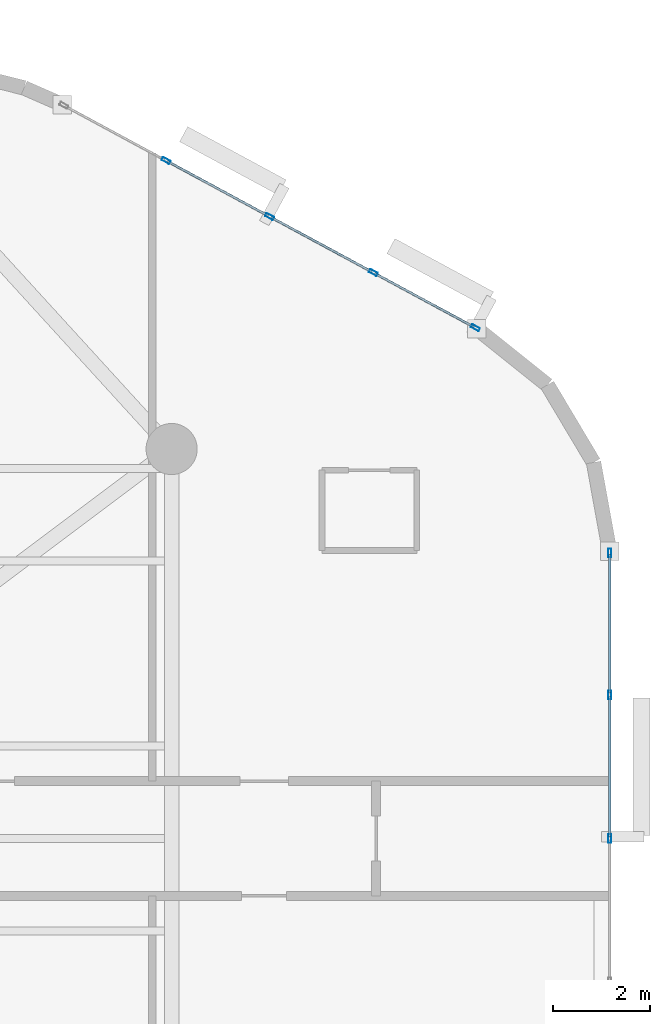
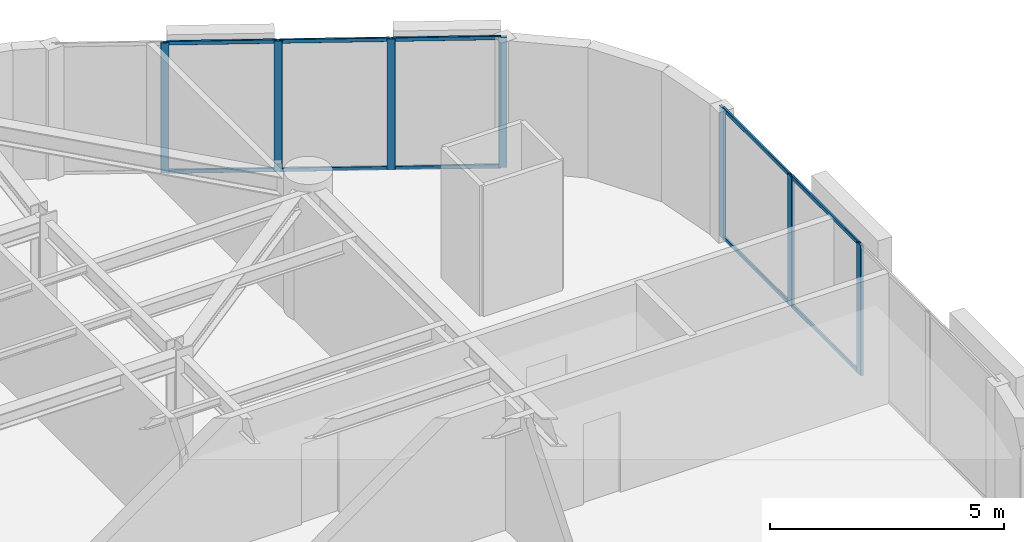
# One storey, part 6 of 13: 17 members, 2 elements without a shape of their own.
"""IFC4 building model written with IfcOpenShell, lengths in metres."""

from ifc_helpers import new_model, si_unit, direction, frame, origin, origin_2d, place, context, subcontext, project, spatial, hollow_rectangle, extrude, material, layer, layer_set, material_profile, profile_set, type_object, element, aggregate, save


model = new_model("IFC4")

# Units and contexts
model_context = context("Model", 3, precision=1e-05, world=origin(), true_north=direction((0.0, 1.0)))
body_context = subcontext(model_context, "Body", "Model", "MODEL_VIEW")
ifc_project = project(units=[si_unit("LENGTHUNIT", "METRE"), si_unit("AREAUNIT", "SQUARE_METRE"), si_unit("VOLUMEUNIT", "CUBIC_METRE"), si_unit("PLANEANGLEUNIT", "RADIAN"), si_unit("MASSUNIT", "GRAM", prefix="KILO")], contexts=[model_context])

# Site, building, storey
site_placement = place(None, origin())
site = spatial("IfcSite", under=ifc_project, at=site_placement, CompositionType="ELEMENT")
building_placement = place(site_placement, origin())
building = spatial("IfcBuilding", under=site, at=building_placement, Name="An Khanh Terracotta Commons", CompositionType="ELEMENT")
storey_placement = place(building_placement, frame((0.0, 0.0, 204.89990234375)))
storey = spatial("IfcBuildingStorey", under=building, at=storey_placement, Name="L53", CompositionType="ELEMENT", Elevation=204.89990234375)

# Curtain wall, members
ifc_material = material(Name="Anodised Aluminium 6063-T6", Category="aluminium")
ifc_layer = layer(ifc_material, 0.2099609375, Name="Anodised Aluminium 6063-T6")
ifc_layer_set = layer_set([ifc_layer], Name="Anodised Aluminium 6063-T6")
curtain_wall_type = type_object("IfcCurtainWallType", Name="CW-SYS-03", PredefinedType="USERDEFINED", material=ifc_layer_set)
curtain_wall_1_placement = place(storey_placement, origin())
curtain_wall_1 = element("IfcCurtainWall", 1, at=curtain_wall_1_placement, inside=storey, type_object=curtain_wall_type, Name="L53 CW-03 Unitised Curtain Wall CW-L53-12", ObjectType="UNITISED CURTAIN WALL", PredefinedType="USERDEFINED")
ifc_material_profile_1 = material_profile(ifc_material, hollow_rectangle(XDim=0.070068359375, YDim=0.179931640625, WallThickness=0.00390625, InnerFilletRadius=0.00390625, OuterFilletRadius=0.008056640625, at=origin_2d()), Name="RHS180x70x4")
ifc_profile_set_1 = profile_set([ifc_material_profile_1], Name="Anodised Aluminium 6063-T6")
member_type_1 = type_object("IfcMemberType", Name="CWM-RHS180x70x4", PredefinedType="MULLION", material=ifc_profile_set_1)
member_1_placement = place(storey_placement, frame((68.60009765625, 24.0, 0.0), z_axis=(0.0, 0.0, 1.0), x_axis=(-1.0, 0.0, 0.0)))
member_1 = element("IfcMember", 2, at=member_1_placement, type_object=member_type_1, Name="CW-03 mullion 3", PredefinedType="MULLION", context=body_context, shape_type="SweptSolid", body=[
    extrude(hollow_rectangle(XDim=0.070068359375, YDim=0.179931640625, WallThickness=0.00390625, InnerFilletRadius=0.00390625, OuterFilletRadius=0.008056640625, at=origin_2d()), origin(), (0.0, 0.0, 1.0), 3.400146484375),
])
member_2_placement = place(storey_placement, frame((68.60009765625, 26.949462890625, 0.0), z_axis=(0.0, 0.0, 1.0), x_axis=(-1.0, 0.0, 0.0)))
member_2 = element("IfcMember", 3, at=member_2_placement, type_object=member_type_1, Name="CW-03 mullion 4", PredefinedType="MULLION", context=body_context, shape_type="SweptSolid", body=[
    extrude(hollow_rectangle(XDim=0.070068359375, YDim=0.179931640625, WallThickness=0.00390625, InnerFilletRadius=0.00390625, OuterFilletRadius=0.008056640625, at=origin_2d()), origin(), (0.0, 0.0, 1.0), 3.400146484375),
])
member_3_placement = place(storey_placement, frame((68.60009765625, 29.864013671875, 0.0), z_axis=(0.0, 0.0, 1.0), x_axis=(-1.0, 0.0, 0.0)))
member_3 = element("IfcMember", 4, at=member_3_placement, type_object=member_type_1, Name="CW-03 mullion 5", PredefinedType="MULLION", context=body_context, shape_type="SweptSolid", body=[
    extrude(hollow_rectangle(XDim=0.070068359375, YDim=0.179931640625, WallThickness=0.00390625, InnerFilletRadius=0.00390625, OuterFilletRadius=0.008056640625, at=origin_2d()), origin(), (0.0, 0.0, 1.0), 3.400146484375),
])

curtain_wall_2_placement = place(storey_placement, origin())
curtain_wall_2 = element("IfcCurtainWall", 5, at=curtain_wall_2_placement, inside=storey, type_object=curtain_wall_type, Name="L53 CW-03 Unitised Curtain Wall CW-L53-16", ObjectType="UNITISED CURTAIN WALL", PredefinedType="USERDEFINED")
member_4_placement = place(storey_placement, frame((65.84130859375, 34.49072265625, 0.0), z_axis=(0.0, 0.0, 1.0), x_axis=(-0.47538088298, -0.879780095306, 0.0)))
member_4 = element("IfcMember", 6, at=member_4_placement, type_object=member_type_1, Name="CW-03 mullion 1", PredefinedType="MULLION", context=body_context, shape_type="SweptSolid", body=[
    extrude(hollow_rectangle(XDim=0.070068359375, YDim=0.179931640625, WallThickness=0.00390625, InnerFilletRadius=0.00390625, OuterFilletRadius=0.008056640625, at=origin_2d()), origin(), (0.0, 0.0, 1.0), 3.400146484375),
])
member_5_placement = place(storey_placement, frame((63.7431640625, 35.624267578125, 0.0), z_axis=(0.0, 0.0, 1.0), x_axis=(-0.47538088298, -0.879780095306, 0.0)))
member_5 = element("IfcMember", 7, at=member_5_placement, type_object=member_type_1, Name="CW-03 mullion 2", PredefinedType="MULLION", context=body_context, shape_type="SweptSolid", body=[
    extrude(hollow_rectangle(XDim=0.070068359375, YDim=0.179931640625, WallThickness=0.00390625, InnerFilletRadius=0.00390625, OuterFilletRadius=0.008056640625, at=origin_2d()), origin(), (0.0, 0.0, 1.0), 3.400146484375),
])
member_6_placement = place(storey_placement, frame((61.614501953125, 36.7744140625, 0.0), z_axis=(0.0, 0.0, 1.0), x_axis=(-0.47538088298, -0.879780095306, 0.0)))
member_6 = element("IfcMember", 8, at=member_6_placement, type_object=member_type_1, Name="CW-03 mullion 3", PredefinedType="MULLION", context=body_context, shape_type="SweptSolid", body=[
    extrude(hollow_rectangle(XDim=0.070068359375, YDim=0.179931640625, WallThickness=0.00390625, InnerFilletRadius=0.00390625, OuterFilletRadius=0.008056640625, at=origin_2d()), origin(), (0.0, 0.0, 1.0), 3.400146484375),
])
member_7_placement = place(storey_placement, frame((59.48583984375, 37.9248046875, 0.0), z_axis=(0.0, 0.0, 1.0), x_axis=(-0.47538088298, -0.879780095306, 0.0)))
member_7 = element("IfcMember", 9, at=member_7_placement, type_object=member_type_1, Name="CW-03 mullion 4", PredefinedType="MULLION", context=body_context, shape_type="SweptSolid", body=[
    extrude(hollow_rectangle(XDim=0.070068359375, YDim=0.179931640625, WallThickness=0.00390625, InnerFilletRadius=0.00390625, OuterFilletRadius=0.008056640625, at=origin_2d()), origin(), (0.0, 0.0, 1.0), 3.400146484375),
])

# Member
ifc_material_profile_2 = material_profile(ifc_material, hollow_rectangle(XDim=0.050048828125, YDim=0.10009765625, WallThickness=0.003173828125, InnerFilletRadius=0.003173828125, OuterFilletRadius=0.00634765625, at=origin_2d()), Name="RHS100x50x3.2")
ifc_profile_set_2 = profile_set([ifc_material_profile_2], Name="Anodised Aluminium 6063-T6")
member_type_2 = type_object("IfcMemberType", Name="CWT-RHS100x50x3.2", PredefinedType="USERDEFINED", material=ifc_profile_set_2)
member_8_placement = place(storey_placement, frame((68.60009765625, 24.034912109375, 0.025146484375), z_axis=(0.0, 1.0, 0.0), x_axis=(-1.0, 0.0, 0.0)))
member_8 = element("IfcMember", 10, at=member_8_placement, type_object=member_type_2, Name="CW-03 transom 3.1", ObjectType="TRANSOM", PredefinedType="USERDEFINED", context=body_context, shape_type="SweptSolid", body=[
    extrude(hollow_rectangle(XDim=0.050048828125, YDim=0.10009765625, WallThickness=0.003173828125, InnerFilletRadius=0.003173828125, OuterFilletRadius=0.00634765625, at=origin_2d()), origin(), (0.0, 0.0, 1.0), 2.879638671875),
])

member_9_placement = place(storey_placement, frame((68.60009765625, 24.034912109375, 3.375), z_axis=(0.0, 1.0, 0.0), x_axis=(-1.0, 0.0, 0.0)))
member_9 = element("IfcMember", 11, at=member_9_placement, type_object=member_type_2, Name="CW-03 transom 3.2", ObjectType="TRANSOM", PredefinedType="USERDEFINED", context=body_context, shape_type="SweptSolid", body=[
    extrude(hollow_rectangle(XDim=0.050048828125, YDim=0.10009765625, WallThickness=0.003173828125, InnerFilletRadius=0.003173828125, OuterFilletRadius=0.00634765625, at=origin_2d()), origin(), (0.0, 0.0, 1.0), 2.879638671875),
])

member_10_placement = place(storey_placement, frame((68.60009765625, 26.984619140625, 0.025146484375), z_axis=(0.0, 1.0, 0.0), x_axis=(-1.0, 0.0, 0.0)))
member_10 = element("IfcMember", 12, at=member_10_placement, type_object=member_type_2, Name="CW-03 transom 4.1", ObjectType="TRANSOM", PredefinedType="USERDEFINED", context=body_context, shape_type="SweptSolid", body=[
    extrude(hollow_rectangle(XDim=0.050048828125, YDim=0.10009765625, WallThickness=0.003173828125, InnerFilletRadius=0.003173828125, OuterFilletRadius=0.00634765625, at=origin_2d()), origin(), (0.0, 0.0, 1.0), 2.844482421875),
])

member_11_placement = place(storey_placement, frame((68.60009765625, 26.984619140625, 3.375), z_axis=(0.0, 1.0, 0.0), x_axis=(-1.0, 0.0, 0.0)))
member_11 = element("IfcMember", 13, at=member_11_placement, type_object=member_type_2, Name="CW-03 transom 4.2", ObjectType="TRANSOM", PredefinedType="USERDEFINED", context=body_context, shape_type="SweptSolid", body=[
    extrude(hollow_rectangle(XDim=0.050048828125, YDim=0.10009765625, WallThickness=0.003173828125, InnerFilletRadius=0.003173828125, OuterFilletRadius=0.00634765625, at=origin_2d()), origin(), (0.0, 0.0, 1.0), 2.844482421875),
])

aggregate(curtain_wall_1, [member_1, member_2, member_3, member_8, member_9, member_10, member_11])

member_12_placement = place(storey_placement, frame((65.810302734375, 34.50732421875, 0.025146484375), z_axis=(-0.879779245677, 0.475382455373, 0.0), x_axis=(-0.475382455373, -0.879779245677, 0.0)))
member_12 = element("IfcMember", 14, at=member_12_placement, type_object=member_type_2, Name="CW-03 transom 1.1", ObjectType="TRANSOM", PredefinedType="USERDEFINED", context=body_context, shape_type="SweptSolid", body=[
    extrude(hollow_rectangle(XDim=0.050048828125, YDim=0.10009765625, WallThickness=0.003173828125, InnerFilletRadius=0.003173828125, OuterFilletRadius=0.00634765625, at=origin_2d()), origin(), (0.0, 0.0, 1.0), 2.314697265625),
])

member_13_placement = place(storey_placement, frame((65.810302734375, 34.50732421875, 3.375), z_axis=(-0.879779245677, 0.475382455373, 0.0), x_axis=(-0.475382455373, -0.879779245677, 0.0)))
member_13 = element("IfcMember", 15, at=member_13_placement, type_object=member_type_2, Name="CW-03 transom 1.2", ObjectType="TRANSOM", PredefinedType="USERDEFINED", context=body_context, shape_type="SweptSolid", body=[
    extrude(hollow_rectangle(XDim=0.050048828125, YDim=0.10009765625, WallThickness=0.003173828125, InnerFilletRadius=0.003173828125, OuterFilletRadius=0.00634765625, at=origin_2d()), origin(), (0.0, 0.0, 1.0), 2.314697265625),
])

member_14_placement = place(storey_placement, frame((63.71240234375, 35.640869140625, 0.025146484375), z_axis=(-0.879782861449, 0.475375763686, 0.0), x_axis=(-0.475375763686, -0.879782861449, 0.0)))
member_14 = element("IfcMember", 16, at=member_14_placement, type_object=member_type_2, Name="CW-03 transom 2.1", ObjectType="TRANSOM", PredefinedType="USERDEFINED", context=body_context, shape_type="SweptSolid", body=[
    extrude(hollow_rectangle(XDim=0.050048828125, YDim=0.10009765625, WallThickness=0.003173828125, InnerFilletRadius=0.003173828125, OuterFilletRadius=0.00634765625, at=origin_2d()), origin(), (0.0, 0.0, 1.0), 2.349609375),
])

member_15_placement = place(storey_placement, frame((63.71240234375, 35.640869140625, 3.375), z_axis=(-0.879782861449, 0.475375763686, 0.0), x_axis=(-0.475375763686, -0.879782861449, 0.0)))
member_15 = element("IfcMember", 17, at=member_15_placement, type_object=member_type_2, Name="CW-03 transom 2.2", ObjectType="TRANSOM", PredefinedType="USERDEFINED", context=body_context, shape_type="SweptSolid", body=[
    extrude(hollow_rectangle(XDim=0.050048828125, YDim=0.10009765625, WallThickness=0.003173828125, InnerFilletRadius=0.003173828125, OuterFilletRadius=0.00634765625, at=origin_2d()), origin(), (0.0, 0.0, 1.0), 2.349609375),
])

member_16_placement = place(storey_placement, frame((61.583740234375, 36.791259765625, 0.025146484375), z_axis=(-0.879782861449, 0.475375763686, 0.0), x_axis=(-0.475375763686, -0.879782861449, 0.0)))
member_16 = element("IfcMember", 18, at=member_16_placement, type_object=member_type_2, Name="CW-03 transom 3.1", ObjectType="TRANSOM", PredefinedType="USERDEFINED", context=body_context, shape_type="SweptSolid", body=[
    extrude(hollow_rectangle(XDim=0.050048828125, YDim=0.10009765625, WallThickness=0.003173828125, InnerFilletRadius=0.003173828125, OuterFilletRadius=0.00634765625, at=origin_2d()), origin(), (0.0, 0.0, 1.0), 2.349609375),
])

member_17_placement = place(storey_placement, frame((61.583740234375, 36.791259765625, 3.375), z_axis=(-0.879782861449, 0.475375763686, 0.0), x_axis=(-0.475375763686, -0.879782861449, 0.0)))
member_17 = element("IfcMember", 19, at=member_17_placement, type_object=member_type_2, Name="CW-03 transom 3.2", ObjectType="TRANSOM", PredefinedType="USERDEFINED", context=body_context, shape_type="SweptSolid", body=[
    extrude(hollow_rectangle(XDim=0.050048828125, YDim=0.10009765625, WallThickness=0.003173828125, InnerFilletRadius=0.003173828125, OuterFilletRadius=0.00634765625, at=origin_2d()), origin(), (0.0, 0.0, 1.0), 2.349609375),
])

aggregate(curtain_wall_2, [member_4, member_5, member_6, member_7, member_12, member_13, member_14, member_15, member_16, member_17])

save(model, "model.ifc")
